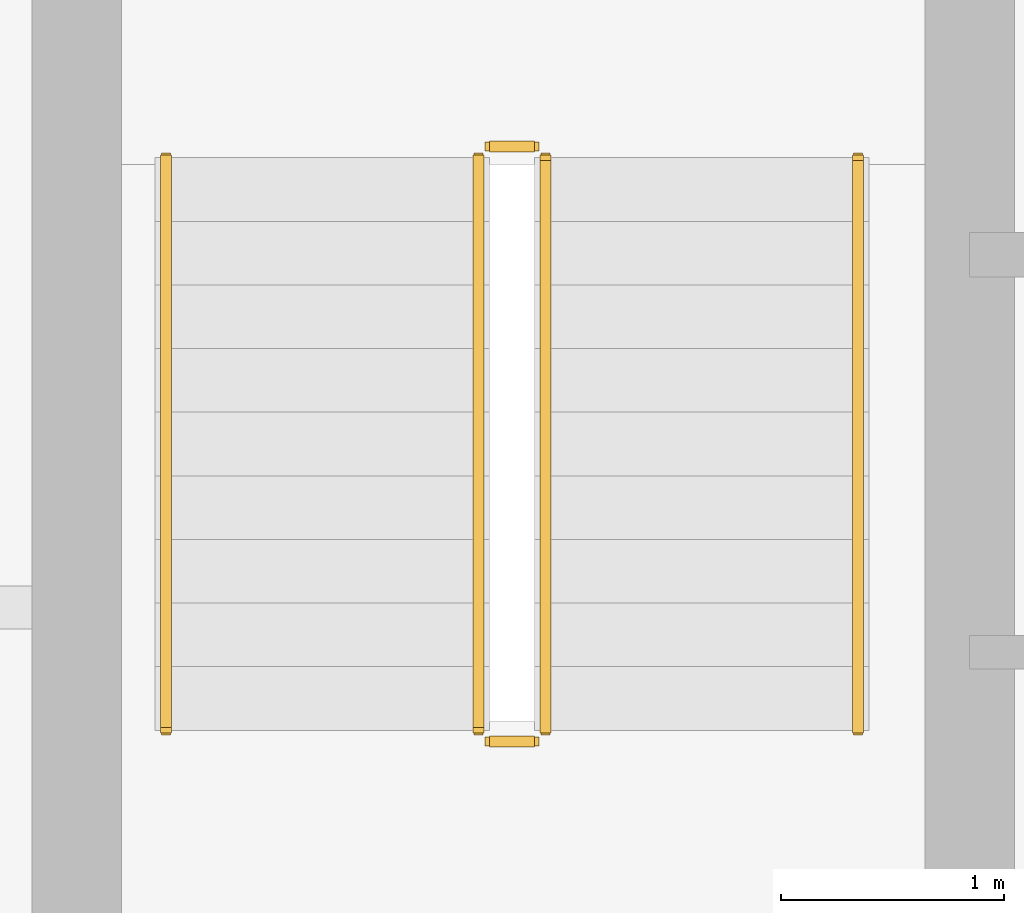
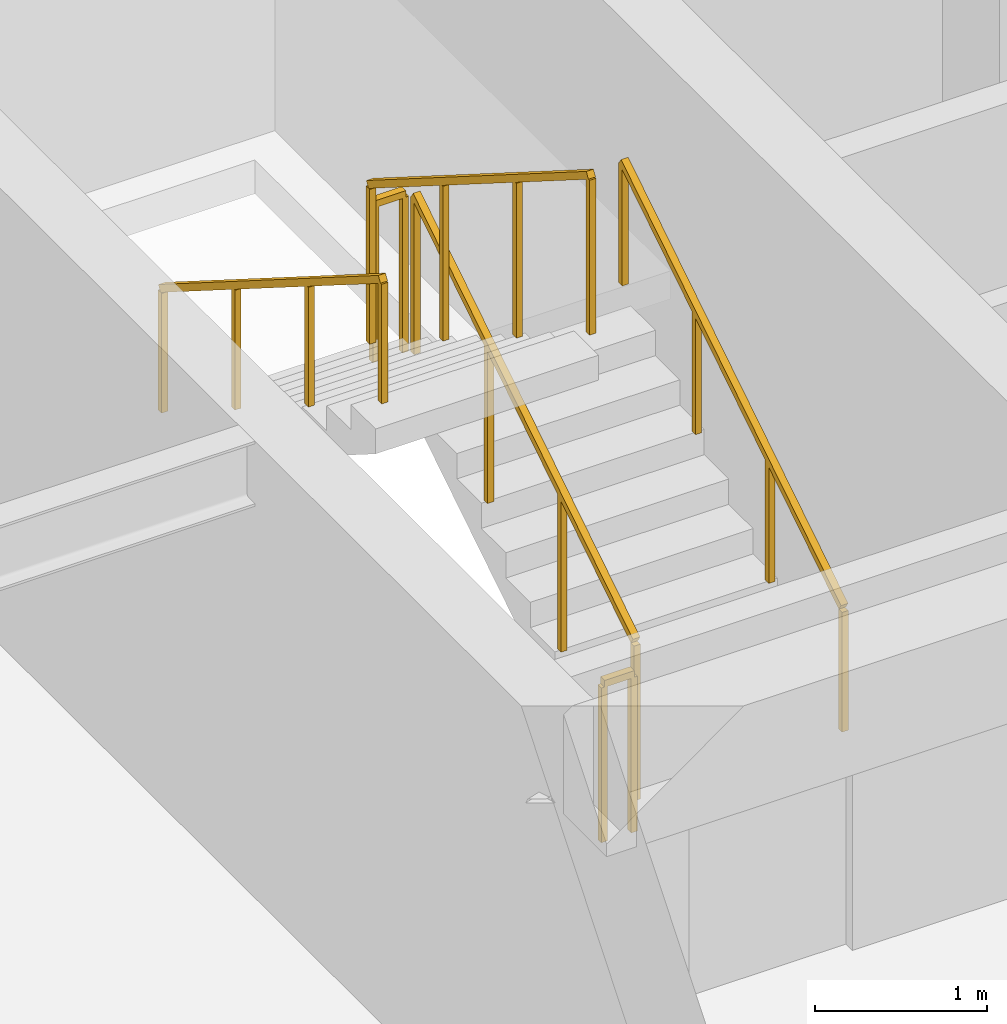
# One storey, part 22 of 24: 6 railings.
"""IFC4 building model written with IfcOpenShell, lengths in metres."""

from ifc_helpers import new_model, si_unit, direction, frame, origin, origin_2d, place, context, subcontext, project, spatial, rectangle, extrude, material, type_object, element, save


model = new_model("IFC4")

# Units and contexts
model_context = context("Model", 3, precision=1e-05, world=origin(), true_north=direction((0.0, 1.0)))
body_context = subcontext(model_context, "Body", "Model", "MODEL_VIEW")
ifc_project = project(units=[si_unit("LENGTHUNIT", "METRE"), si_unit("AREAUNIT", "SQUARE_METRE"), si_unit("VOLUMEUNIT", "CUBIC_METRE"), si_unit("PLANEANGLEUNIT", "RADIAN"), si_unit("MASSUNIT", "GRAM", prefix="KILO")], contexts=[model_context])

# Site, building, storey
site_placement = place(None, origin())
site = spatial("IfcSite", under=ifc_project, at=site_placement, CompositionType="ELEMENT")
building_placement = place(site_placement, origin())
building = spatial("IfcBuilding", under=site, at=building_placement, Name="Sarneth Arch Tower", CompositionType="ELEMENT")
storey_placement = place(building_placement, frame((0.0, 0.0, 253.199951171875)))
storey = spatial("IfcBuildingStorey", under=building, at=storey_placement, Name="L65", CompositionType="ELEMENT", Elevation=253.199951171875)

# Railings
ifc_material_1 = material(Name="Brushed Stainless Steel 304 tubular handrail", Category="steel")
railing_type_1 = type_object("IfcRailingType", Name="RAIL-HANDRAIL-900", PredefinedType="HANDRAIL", material=ifc_material_1)
railing_1_placement = place(storey_placement, frame((40.5, 41.449951171875, 0.179931640625)))
element("IfcRailing", 1, at=railing_1_placement, inside=storey, type_object=railing_type_1, Name="L65 ST-1 stair handrail 1", PredefinedType="HANDRAIL", context=body_context, shape_type="SweptSolid", body=[
    extrude(rectangle(XDim=0.048095703125, YDim=0.048095703125, at=origin_2d()), frame((0.0, 0.0, 0.8759765625), z_axis=(0.0, 0.845465955043, 0.534029323973), x_axis=(-1.0, 0.0, 0.0)), (0.0, 0.0, 1.0), 3.03369140625),
    extrude(rectangle(XDim=0.0419921875, YDim=0.0419921875, at=origin_2d()), origin(), (0.0, 0.0, 1.0), 0.851806640625),
    extrude(rectangle(XDim=0.0419921875, YDim=0.0419921875, at=origin_2d()), frame((0.0, 0.85498046875, 0.5400390625)), (0.0, 0.0, 1.0), 0.851806640625),
    extrude(rectangle(XDim=0.0419921875, YDim=0.0419921875, at=origin_2d()), frame((0.0, 1.7099609375, 1.080078125)), (0.0, 0.0, 1.0), 0.851806640625),
    extrude(rectangle(XDim=0.0419921875, YDim=0.0419921875, at=origin_2d()), frame((0.0, 2.56494140625, 1.6201171875)), (0.0, 0.0, 1.0), 0.851806640625),
])
railing_2_placement = place(storey_placement, frame((37.39990234375, 44.014892578125, 1.97998046875)))
element("IfcRailing", 2, at=railing_2_placement, inside=storey, type_object=railing_type_1, Name="L65 ST-1 stair handrail 2", PredefinedType="HANDRAIL", context=body_context, shape_type="SweptSolid", body=[
    extrude(rectangle(XDim=0.048095703125, YDim=0.048095703125, at=origin_2d()), frame((0.0, 0.0, 0.8759765625), z_axis=(0.0, -0.845465955043, 0.534029323973), x_axis=(1.0, 0.0, 0.0)), (0.0, 0.0, 1.0), 3.03369140625),
    extrude(rectangle(XDim=0.0419921875, YDim=0.0419921875, at=origin_2d()), origin(), (0.0, 0.0, 1.0), 0.851806640625),
    extrude(rectangle(XDim=0.0419921875, YDim=0.0419921875, at=origin_2d()), frame((0.0, -0.85498046875, 0.5400390625)), (0.0, 0.0, 1.0), 0.851806640625),
    extrude(rectangle(XDim=0.0419921875, YDim=0.0419921875, at=origin_2d()), frame((0.0, -1.7099609375, 1.080078125)), (0.0, 0.0, 1.0), 0.851806640625),
    extrude(rectangle(XDim=0.0419921875, YDim=0.0419921875, at=origin_2d()), frame((0.0, -2.56494140625, 1.6201171875)), (0.0, 0.0, 1.0), 0.851806640625),
])
ifc_material_2 = material(Name="Painted Steel S275 stair well guard", Category="steel")
railing_type_2 = type_object("IfcRailingType", Name="RAIL-STAIR-GUARD", PredefinedType="GUARDRAIL", material=ifc_material_2)
railing_3_placement = place(storey_placement, frame((39.10009765625, 41.449951171875, 0.179931640625)))
element("IfcRailing", 3, at=railing_3_placement, inside=storey, type_object=railing_type_2, Name="L65 ST-1 stair guard 1", PredefinedType="GUARDRAIL", context=body_context, shape_type="SweptSolid", body=[
    extrude(rectangle(XDim=0.048095703125, YDim=0.048095703125, at=origin_2d()), frame((0.0, 0.0, 1.1259765625), z_axis=(0.0, 0.845465955043, 0.534029323973), x_axis=(-1.0, 0.0, 0.0)), (0.0, 0.0, 1.0), 3.03369140625),
    extrude(rectangle(XDim=0.0419921875, YDim=0.0419921875, at=origin_2d()), origin(), (0.0, 0.0, 1.0), 1.101806640625),
    extrude(rectangle(XDim=0.0419921875, YDim=0.0419921875, at=origin_2d()), frame((0.0, 0.85498046875, 0.5400390625)), (0.0, 0.0, 1.0), 1.101806640625),
    extrude(rectangle(XDim=0.0419921875, YDim=0.0419921875, at=origin_2d()), frame((0.0, 1.7099609375, 1.080078125)), (0.0, 0.0, 1.0), 1.101806640625),
    extrude(rectangle(XDim=0.0419921875, YDim=0.0419921875, at=origin_2d()), frame((0.0, 2.56494140625, 1.6201171875)), (0.0, 0.0, 1.0), 1.101806640625),
])
railing_4_placement = place(storey_placement, frame((39.050048828125, 44.06494140625, 1.800048828125)))
element("IfcRailing", 4, at=railing_4_placement, inside=storey, type_object=railing_type_2, Name="L65 ST-1 stair guard 2", PredefinedType="GUARDRAIL", context=body_context, shape_type="SweptSolid", body=[
    extrude(rectangle(XDim=0.048095703125, YDim=0.048095703125, at=origin_2d()), frame((0.0, 0.0, 1.1259765625), z_axis=(-1.0, 0.0, 0.0), x_axis=(0.0, -1.0, 0.0)), (0.0, 0.0, 1.0), 0.199951171875),
    extrude(rectangle(XDim=0.0419921875, YDim=0.0419921875, at=origin_2d()), origin(), (0.0, 0.0, 1.0), 1.101806640625),
    extrude(rectangle(XDim=0.0419921875, YDim=0.0419921875, at=origin_2d()), frame((-0.199951171875, 0.0, 0.0)), (0.0, 0.0, 1.0), 1.101806640625),
])
railing_5_placement = place(storey_placement, frame((38.800048828125, 44.014892578125, 1.97998046875)))
element("IfcRailing", 5, at=railing_5_placement, inside=storey, type_object=railing_type_2, Name="L65 ST-1 stair guard 3", PredefinedType="GUARDRAIL", context=body_context, shape_type="SweptSolid", body=[
    extrude(rectangle(XDim=0.048095703125, YDim=0.048095703125, at=origin_2d()), frame((0.0, 0.0, 1.1259765625), z_axis=(0.0, -0.845465955043, 0.534029323973), x_axis=(1.0, 0.0, 0.0)), (0.0, 0.0, 1.0), 3.03369140625),
    extrude(rectangle(XDim=0.0419921875, YDim=0.0419921875, at=origin_2d()), origin(), (0.0, 0.0, 1.0), 1.101806640625),
    extrude(rectangle(XDim=0.0419921875, YDim=0.0419921875, at=origin_2d()), frame((0.0, -0.85498046875, 0.5400390625)), (0.0, 0.0, 1.0), 1.101806640625),
    extrude(rectangle(XDim=0.0419921875, YDim=0.0419921875, at=origin_2d()), frame((0.0, -1.7099609375, 1.080078125)), (0.0, 0.0, 1.0), 1.101806640625),
    extrude(rectangle(XDim=0.0419921875, YDim=0.0419921875, at=origin_2d()), frame((0.0, -2.56494140625, 1.6201171875)), (0.0, 0.0, 1.0), 1.101806640625),
])
railing_6_placement = place(storey_placement, frame((39.050048828125, 41.39990234375, 0.0)))
element("IfcRailing", 6, at=railing_6_placement, inside=storey, type_object=railing_type_2, Name="L65 ST-1 stair guard 4", PredefinedType="GUARDRAIL", context=body_context, shape_type="SweptSolid", body=[
    extrude(rectangle(XDim=0.048095703125, YDim=0.048095703125, at=origin_2d()), frame((0.0, 0.0, 1.1259765625), z_axis=(-1.0, 0.0, 0.0), x_axis=(0.0, -1.0, 0.0)), (0.0, 0.0, 1.0), 0.199951171875),
    extrude(rectangle(XDim=0.0419921875, YDim=0.0419921875, at=origin_2d()), origin(), (0.0, 0.0, 1.0), 1.101806640625),
    extrude(rectangle(XDim=0.0419921875, YDim=0.0419921875, at=origin_2d()), frame((-0.199951171875, 0.0, 0.0)), (0.0, 0.0, 1.0), 1.101806640625),
])

save(model, "model.ifc")
